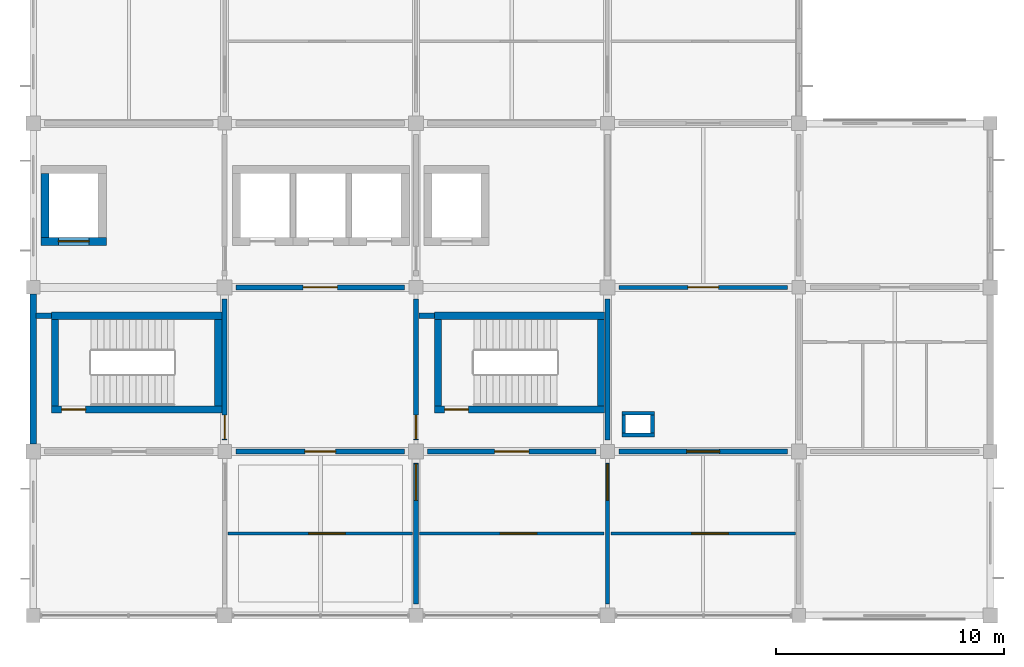
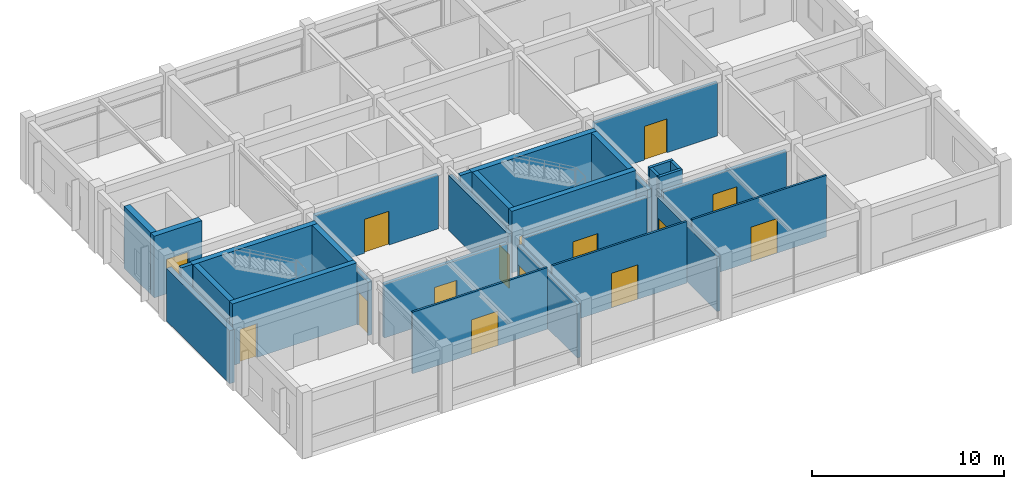
# One storey, part 8 of 13: 30 walls, 15 doors, 15 openings.
"""IFC4 building model written with IfcOpenShell, lengths in metres."""

from ifc_helpers import new_model, si_unit, derived_unit, direction, frame, frame_2d, origin, place, context, subcontext, project, spatial, rectangle, extrude, material, layer, layer_set, type_object, element, fill, save


model = new_model("IFC4")

# Units and contexts
model_context = context("Model", 3, precision=1e-05, world=origin(), true_north=direction((0.0, 1.0)))
body_context = subcontext(model_context, "Body", "Model", "MODEL_VIEW")
ifc_project = project(units=[si_unit("LENGTHUNIT", "METRE"), si_unit("AREAUNIT", "SQUARE_METRE"), si_unit("VOLUMEUNIT", "CUBIC_METRE"), si_unit("PLANEANGLEUNIT", "RADIAN"), si_unit("MASSUNIT", "GRAM", prefix="KILO"), derived_unit("THERMALTRANSMITTANCEUNIT", [(si_unit("MASSUNIT", "GRAM", prefix="KILO"), 1), (si_unit("TIMEUNIT", "SECOND"), -3), (si_unit("THERMODYNAMICTEMPERATUREUNIT", "KELVIN"), -1)])], contexts=[model_context])

# Site, building, storey
site_placement = place(None, origin())
site = spatial("IfcSite", under=ifc_project, at=site_placement, CompositionType="ELEMENT")
building_placement = place(site_placement, origin())
building = spatial("IfcBuilding", under=site, at=building_placement, Name="Veldstrom Oceanarium and Marine Research Institute", CompositionType="ELEMENT")
storey_placement = place(building_placement, frame((0.0, 0.0, 56.39990234375)))
storey = spatial("IfcBuildingStorey", under=building, at=storey_placement, Name="L12", CompositionType="ELEMENT", Elevation=56.39990234375)

# Wall
ifc_material_1 = material(Name="Masonry Cavity Wall", Category="masonry")
ifc_layer_1 = layer(ifc_material_1, 0.2900390625)
ifc_layer_set_1 = layer_set([ifc_layer_1], Name="ARC-WAL-EW2")
wall_type_1 = type_object("IfcWallType", Name="ARC-WAL-EW2", PredefinedType="SOLIDWALL", material=ifc_layer_set_1)
wall_1_placement = place(storey_placement, frame((75.60009765625, 50.72509765625, 0.0), z_axis=(0.0, 0.0, 1.0), x_axis=(0.0, 1.0, 0.0)))
element("IfcWall", 1, at=wall_1_placement, inside=storey, type_object=wall_type_1, Name="Exterior Facade Wall EW2 L12-242", PredefinedType="SOLIDWALL", context=body_context, shape_type="SweptSolid", body=[
    extrude(rectangle(XDim=6.574951171875, YDim=0.2900390625, at=frame_2d((3.28759765625, 0.0))), origin(), (0.0, 0.0, 1.0), 3.364990234375),
])

# Wall, opening, door
ifc_material_2 = material(Name="Masonry Fire Compartment Wall", Category="masonry")
ifc_layer_2 = layer(ifc_material_2, 0.22998046875)
ifc_layer_set_2 = layer_set([ifc_layer_2], Name="ARC-WAL-PT1")
wall_type_2 = type_object("IfcWallType", Name="ARC-WAL-PT1", PredefinedType="PARTITIONING", material=ifc_layer_set_2)
wall_2_placement = place(storey_placement, frame((84.0, 50.89990234375, 0.0), z_axis=(0.0, 0.0, 1.0), x_axis=(0.0, 1.0, 0.0)))
wall_2 = element("IfcWall", 2, at=wall_2_placement, inside=storey, type_object=wall_type_2, Name="Interior Partition PT1 L12-1711", PredefinedType="PARTITIONING", context=body_context, shape_type="SweptSolid", body=[
    extrude(rectangle(XDim=6.2001953125, YDim=0.22998046875, at=frame_2d((3.10009765625, 0.0))), origin(), (0.0, 0.0, 1.0), 3.4150390625),
])
opening_1_placement = place(wall_2_placement, frame((0.050048828125, 0.0, 0.0)))
opening_1 = element("IfcOpeningElement", 3, at=opening_1_placement, cuts=wall_2, Name="Opening D-L12-1054", PredefinedType="OPENING", context=body_context, shape_type="SweptSolid", body=[
    extrude(rectangle(XDim=1.050048828125, YDim=2.14990234375, at=frame_2d((0.52490234375, 1.074951171875))), frame((0.0, 0.125, 0.0), z_axis=(0.0, -1.0, 0.0), x_axis=(1.0, 0.0, 0.0)), (0.0, 0.0, 1.0), 0.25),
])
ifc_material_3 = material(Name="Painted Steel Fire Door", Category="steel")
door_type_1 = type_object("IfcDoorType", Name="ARC-DOR-SD1", OperationType="SINGLE_SWING_LEFT", PredefinedType="DOOR", material=ifc_material_3)
door_1_placement = place(opening_1_placement, frame((1.050048828125, 0.0, 0.0), z_axis=(0.0, 0.0, 1.0), x_axis=(-1.0, 0.0, 0.0)))
door_1 = element("IfcDoor", 4, at=door_1_placement, inside=storey, type_object=door_type_1, Name="Interior Door D-L12-1054", OperationType="SINGLE_SWING_RIGHT", OverallHeight=2.14990234375, OverallWidth=1.050048828125, PredefinedType="DOOR", context=body_context, shape_type="SweptSolid", body=[
    extrude(rectangle(XDim=1.050048828125, YDim=2.14990234375, at=frame_2d((0.52490234375, 1.074951171875))), frame((0.0, 0.02490234375, 0.0), z_axis=(0.0, -1.0, 0.0), x_axis=(1.0, 0.0, 0.0)), (0.0, 0.0, 1.0), 0.050048828125),
])
fill(opening_1, door_1)

# Wall
wall_3_placement = place(storey_placement, frame((75.719970703125, 56.360107421875, 0.0), z_axis=(0.0, 0.0, 1.0), x_axis=(1.0, 0.0, 0.0)))
element("IfcWall", 5, at=wall_3_placement, inside=storey, type_object=wall_type_2, Name="Interior Partition PT1 L12-1712", PredefinedType="PARTITIONING", context=body_context, shape_type="SweptSolid", body=[
    extrude(rectangle(XDim=0.679931640625, YDim=0.22998046875, at=frame_2d((0.33984375, 0.0))), origin(), (0.0, 0.0, 1.0), 3.920166015625),
])

# Wall, opening, door
wall_4_placement = place(storey_placement, frame((92.39990234375, 50.89990234375, 0.0), z_axis=(0.0, 0.0, 1.0), x_axis=(0.0, 1.0, 0.0)))
wall_4 = element("IfcWall", 6, at=wall_4_placement, inside=storey, type_object=wall_type_2, Name="Interior Partition PT1 L12-1718", PredefinedType="PARTITIONING", context=body_context, shape_type="SweptSolid", body=[
    extrude(rectangle(XDim=6.2001953125, YDim=0.22998046875, at=frame_2d((3.10009765625, 0.0))), origin(), (0.0, 0.0, 1.0), 3.51513671875),
])
opening_2_placement = place(wall_4_placement, frame((0.050048828125, 0.0, 0.0)))
opening_2 = element("IfcOpeningElement", 7, at=opening_2_placement, cuts=wall_4, Name="Opening D-L12-1059", PredefinedType="OPENING", context=body_context, shape_type="SweptSolid", body=[
    extrude(rectangle(XDim=1.050048828125, YDim=2.14990234375, at=frame_2d((0.52490234375, 1.074951171875))), frame((0.0, 0.125, 0.0), z_axis=(0.0, -1.0, 0.0), x_axis=(1.0, 0.0, 0.0)), (0.0, 0.0, 1.0), 0.25),
])
door_2_placement = place(opening_2_placement, origin())
door_2 = element("IfcDoor", 8, at=door_2_placement, inside=storey, type_object=door_type_1, Name="Interior Door D-L12-1059", OperationType="SINGLE_SWING_LEFT", OverallHeight=2.14990234375, OverallWidth=1.050048828125, PredefinedType="DOOR", context=body_context, shape_type="SweptSolid", body=[
    extrude(rectangle(XDim=1.050048828125, YDim=2.14990234375, at=frame_2d((0.52490234375, 1.074951171875))), frame((0.0, 0.02490234375, 0.0), z_axis=(0.0, -1.0, 0.0), x_axis=(1.0, 0.0, 0.0)), (0.0, 0.0, 1.0), 0.050048828125),
])
fill(opening_2, door_2)

wall_5_placement = place(storey_placement, frame((84.5, 57.60009765625, 0.0), z_axis=(0.0, 0.0, 1.0), x_axis=(1.0, 0.0, 0.0)))
wall_5 = element("IfcWall", 9, at=wall_5_placement, inside=storey, type_object=wall_type_2, Name="Interior Partition PT1 L12-1719", PredefinedType="PARTITIONING", context=body_context, shape_type="SweptSolid", body=[
    extrude(rectangle(XDim=7.39990234375, YDim=0.22998046875, at=frame_2d((3.699951171875, 0.0))), origin(), (0.0, 0.0, 1.0), 3.4150390625),
])
opening_3_placement = place(wall_5_placement, frame((2.949951171875, 0.0, 0.0)))
opening_3 = element("IfcOpeningElement", 10, at=opening_3_placement, cuts=wall_5, Name="Opening D-L12-1060", PredefinedType="OPENING", context=body_context, shape_type="SweptSolid", body=[
    extrude(rectangle(XDim=1.5, YDim=2.14990234375, at=frame_2d((0.75, 1.074951171875))), frame((0.0, 0.125, 0.0), z_axis=(0.0, -1.0, 0.0), x_axis=(1.0, 0.0, 0.0)), (0.0, 0.0, 1.0), 0.25),
])
ifc_material_4 = material(Name="Painted Steel Lobby Fire Door", Category="steel")
door_type_2 = type_object("IfcDoorType", Name="ARC-DOR-SD2", OperationType="DOUBLE_DOOR_SINGLE_SWING", PredefinedType="DOOR", material=ifc_material_4)
door_3_placement = place(opening_3_placement, origin())
door_3 = element("IfcDoor", 11, at=door_3_placement, inside=storey, type_object=door_type_2, Name="Interior Door D-L12-1060", OperationType="DOUBLE_DOOR_SINGLE_SWING", OverallHeight=2.14990234375, OverallWidth=1.5, PredefinedType="DOOR", context=body_context, shape_type="SweptSolid", body=[
    extrude(rectangle(XDim=1.5, YDim=2.14990234375, at=frame_2d((0.75, 1.074951171875))), frame((0.0, 0.02490234375, 0.0), z_axis=(0.0, -1.0, 0.0), x_axis=(1.0, 0.0, 0.0)), (0.0, 0.0, 1.0), 0.050048828125),
])
fill(opening_3, door_3)

wall_6_placement = place(storey_placement, frame((92.89990234375, 50.39990234375, 0.0), z_axis=(0.0, 0.0, 1.0), x_axis=(1.0, 0.0, 0.0)))
wall_6 = element("IfcWall", 12, at=wall_6_placement, inside=storey, type_object=wall_type_2, Name="Interior Partition PT1 L12-1724", PredefinedType="PARTITIONING", context=body_context, shape_type="SweptSolid", body=[
    extrude(rectangle(XDim=7.400146484375, YDim=0.22998046875, at=frame_2d((3.7001953125, 0.0))), origin(), (0.0, 0.0, 1.0), 3.4150390625),
])
opening_4_placement = place(wall_6_placement, frame((2.949951171875, 0.0, 0.0)))
opening_4 = element("IfcOpeningElement", 13, at=opening_4_placement, cuts=wall_6, Name="Opening D-L12-1064", PredefinedType="OPENING", context=body_context, shape_type="SweptSolid", body=[
    extrude(rectangle(XDim=1.5, YDim=2.14990234375, at=frame_2d((0.75, 1.074951171875))), frame((0.0, 0.125, 0.0), z_axis=(0.0, -1.0, 0.0), x_axis=(1.0, 0.0, 0.0)), (0.0, 0.0, 1.0), 0.25),
])
door_4_placement = place(opening_4_placement, frame((1.5, 0.0, 0.0), z_axis=(0.0, 0.0, 1.0), x_axis=(-1.0, 0.0, 0.0)))
door_4 = element("IfcDoor", 14, at=door_4_placement, inside=storey, type_object=door_type_2, Name="Interior Door D-L12-1064", OperationType="DOUBLE_DOOR_SINGLE_SWING", OverallHeight=2.14990234375, OverallWidth=1.5, PredefinedType="DOOR", context=body_context, shape_type="SweptSolid", body=[
    extrude(rectangle(XDim=1.5, YDim=2.14990234375, at=frame_2d((0.75, 1.074951171875))), frame((0.0, 0.02490234375, 0.0), z_axis=(0.0, -1.0, 0.0), x_axis=(1.0, 0.0, 0.0)), (0.0, 0.0, 1.0), 0.050048828125),
])
fill(opening_4, door_4)

# Walls
wall_7_placement = place(storey_placement, frame((100.800048828125, 50.89990234375, 0.0), z_axis=(0.0, 0.0, 1.0), x_axis=(0.0, 1.0, 0.0)))
element("IfcWall", 15, at=wall_7_placement, inside=storey, type_object=wall_type_2, Name="Interior Partition PT1 L12-1725", PredefinedType="PARTITIONING", context=body_context, shape_type="SweptSolid", body=[
    extrude(rectangle(XDim=6.2001953125, YDim=0.22998046875, at=frame_2d((3.10009765625, 0.0))), origin(), (0.0, 0.0, 1.0), 3.4150390625),
])
wall_8_placement = place(storey_placement, frame((92.52001953125, 56.360107421875, 0.0), z_axis=(0.0, 0.0, 1.0), x_axis=(1.0, 0.0, 0.0)))
element("IfcWall", 16, at=wall_8_placement, inside=storey, type_object=wall_type_2, Name="Interior Partition PT1 L12-1726", PredefinedType="PARTITIONING", context=body_context, shape_type="SweptSolid", body=[
    extrude(rectangle(XDim=0.679931640625, YDim=0.22998046875, at=frame_2d((0.33984375, 0.0))), origin(), (0.0, 0.0, 1.0), 3.920166015625),
])

# Wall, opening, door
ifc_material_5 = material(Name="Gypsum Acoustic Lab Partition", Category="gypsum")
ifc_layer_3 = layer(ifc_material_5, 0.1201171875)
ifc_layer_set_3 = layer_set([ifc_layer_3], Name="ARC-WAL-PT10")
wall_type_3 = type_object("IfcWallType", Name="ARC-WAL-PT10", PredefinedType="PARTITIONING", material=ifc_layer_set_3)
wall_9_placement = place(storey_placement, frame((84.14990234375, 46.800048828125, 0.0), z_axis=(0.0, 0.0, 1.0), x_axis=(1.0, 0.0, 0.0)))
wall_9 = element("IfcWall", 17, at=wall_9_placement, inside=storey, type_object=wall_type_3, Name="Laboratory Suite Partition L12-10/6", PredefinedType="PARTITIONING", context=body_context, shape_type="SweptSolid", body=[
    extrude(rectangle(XDim=8.10009765625, YDim=0.1201171875, at=frame_2d((4.050048828125, 0.0))), origin(), (0.0, 0.0, 1.0), 3.920166015625),
])
opening_5_placement = place(wall_9_placement, frame((3.550048828125, 0.0, 0.0)))
opening_5 = element("IfcOpeningElement", 18, at=opening_5_placement, cuts=wall_9, Name="Opening D-L12-S1046", PredefinedType="OPENING", context=body_context, shape_type="SweptSolid", body=[
    extrude(rectangle(XDim=1.60009765625, YDim=2.199951171875, at=frame_2d((0.800048828125, 1.10009765625))), frame((0.0, 0.070068359375, 0.0), z_axis=(0.0, -1.0, 0.0), x_axis=(1.0, 0.0, 0.0)), (0.0, 0.0, 1.0), 0.14013671875),
])
ifc_material_6 = material(Name="Acoustic Timber Corridor Door", Category="wood")
door_type_3 = type_object("IfcDoorType", Name="ARC-DOR-ID02", OperationType="DOUBLE_DOOR_SINGLE_SWING", PredefinedType="DOOR", material=ifc_material_6)
door_5_placement = place(opening_5_placement, frame((1.60009765625, 0.0, 0.0), z_axis=(0.0, 0.0, 1.0), x_axis=(-1.0, 0.0, 0.0)))
door_5 = element("IfcDoor", 19, at=door_5_placement, inside=storey, type_object=door_type_3, Name="Suite Interior Door D-L12-S1046", OperationType="SINGLE_SWING_RIGHT", OverallHeight=2.199951171875, OverallWidth=1.60009765625, PredefinedType="DOOR", context=body_context, shape_type="SweptSolid", body=[
    extrude(rectangle(XDim=1.60009765625, YDim=2.199951171875, at=frame_2d((0.800048828125, 1.10009765625))), frame((0.0, 0.02490234375, 0.0), z_axis=(0.0, -1.0, 0.0), x_axis=(1.0, 0.0, 0.0)), (0.0, 0.0, 1.0), 0.050048828125),
])
fill(opening_5, door_5)

wall_10_placement = place(storey_placement, frame((92.550048828125, 46.800048828125, 0.0), z_axis=(0.0, 0.0, 1.0), x_axis=(1.0, 0.0, 0.0)))
wall_10 = element("IfcWall", 20, at=wall_10_placement, inside=storey, type_object=wall_type_3, Name="Laboratory Suite Partition L12-11/6", PredefinedType="PARTITIONING", context=body_context, shape_type="SweptSolid", body=[
    extrude(rectangle(XDim=8.099853515625, YDim=0.1201171875, at=frame_2d((4.0498046875, 0.0))), origin(), (0.0, 0.0, 1.0), 3.920166015625),
])
opening_6_placement = place(wall_10_placement, frame((3.550048828125, 0.0, 0.0)))
opening_6 = element("IfcOpeningElement", 21, at=opening_6_placement, cuts=wall_10, Name="Opening D-L12-S1047", PredefinedType="OPENING", context=body_context, shape_type="SweptSolid", body=[
    extrude(rectangle(XDim=1.60009765625, YDim=2.199951171875, at=frame_2d((0.800048828125, 1.10009765625))), frame((0.0, 0.070068359375, 0.0), z_axis=(0.0, -1.0, 0.0), x_axis=(1.0, 0.0, 0.0)), (0.0, 0.0, 1.0), 0.14013671875),
])
door_6_placement = place(opening_6_placement, frame((1.60009765625, 0.0, 0.0), z_axis=(0.0, 0.0, 1.0), x_axis=(-1.0, 0.0, 0.0)))
door_6 = element("IfcDoor", 22, at=door_6_placement, inside=storey, type_object=door_type_3, Name="Suite Interior Door D-L12-S1047", OperationType="SINGLE_SWING_LEFT", OverallHeight=2.199951171875, OverallWidth=1.60009765625, PredefinedType="DOOR", context=body_context, shape_type="SweptSolid", body=[
    extrude(rectangle(XDim=1.60009765625, YDim=2.199951171875, at=frame_2d((0.800048828125, 1.10009765625))), frame((0.0, 0.02490234375, 0.0), z_axis=(0.0, -1.0, 0.0), x_axis=(1.0, 0.0, 0.0)), (0.0, 0.0, 1.0), 0.050048828125),
])
fill(opening_6, door_6)

wall_11_placement = place(storey_placement, frame((100.949951171875, 46.800048828125, 0.0), z_axis=(0.0, 0.0, 1.0), x_axis=(1.0, 0.0, 0.0)))
wall_11 = element("IfcWall", 23, at=wall_11_placement, inside=storey, type_object=wall_type_3, Name="Laboratory Suite Partition L12-12/6", PredefinedType="PARTITIONING", context=body_context, shape_type="SweptSolid", body=[
    extrude(rectangle(XDim=8.10009765625, YDim=0.1201171875, at=frame_2d((4.050048828125, 0.0))), origin(), (0.0, 0.0, 1.0), 3.920166015625),
])
opening_7_placement = place(wall_11_placement, frame((3.550048828125, 0.0, 0.0)))
opening_7 = element("IfcOpeningElement", 24, at=opening_7_placement, cuts=wall_11, Name="Opening D-L12-S1048", PredefinedType="OPENING", context=body_context, shape_type="SweptSolid", body=[
    extrude(rectangle(XDim=1.60009765625, YDim=2.199951171875, at=frame_2d((0.800048828125, 1.10009765625))), frame((0.0, 0.070068359375, 0.0), z_axis=(0.0, -1.0, 0.0), x_axis=(1.0, 0.0, 0.0)), (0.0, 0.0, 1.0), 0.14013671875),
])
door_7_placement = place(opening_7_placement, frame((1.60009765625, 0.0, 0.0), z_axis=(0.0, 0.0, 1.0), x_axis=(-1.0, 0.0, 0.0)))
door_7 = element("IfcDoor", 25, at=door_7_placement, inside=storey, type_object=door_type_3, Name="Suite Interior Door D-L12-S1048", OperationType="SINGLE_SWING_RIGHT", OverallHeight=2.199951171875, OverallWidth=1.60009765625, PredefinedType="DOOR", context=body_context, shape_type="SweptSolid", body=[
    extrude(rectangle(XDim=1.60009765625, YDim=2.199951171875, at=frame_2d((0.800048828125, 1.10009765625))), frame((0.0, 0.02490234375, 0.0), z_axis=(0.0, -1.0, 0.0), x_axis=(1.0, 0.0, 0.0)), (0.0, 0.0, 1.0), 0.050048828125),
])
fill(opening_7, door_7)

ifc_material_7 = material(Name="Masonry Acoustic Lab Partition", Category="masonry")
ifc_layer_4 = layer(ifc_material_7, 0.205078125)
ifc_layer_set_4 = layer_set([ifc_layer_4], Name="ARC-WAL-PT2")
wall_type_4 = type_object("IfcWallType", Name="ARC-WAL-PT2", PredefinedType="PARTITIONING", material=ifc_layer_set_4)
wall_12_placement = place(storey_placement, frame((92.39990234375, 43.699951171875, 0.0), z_axis=(0.0, 0.0, 1.0), x_axis=(0.0, 1.0, 0.0)))
wall_12 = element("IfcWall", 26, at=wall_12_placement, inside=storey, type_object=wall_type_4, Name="Interior Partition PT2 L12-1716", PredefinedType="PARTITIONING", context=body_context, shape_type="SweptSolid", body=[
    extrude(rectangle(XDim=6.199951171875, YDim=0.205078125, at=frame_2d((3.10009765625, 0.0))), origin(), (0.0, 0.0, 1.0), 3.4150390625),
])
opening_8_placement = place(wall_12_placement, frame((4.550048828125, 0.0, 0.0)))
opening_8 = element("IfcOpeningElement", 27, at=opening_8_placement, cuts=wall_12, Name="Opening D-L12-1057", PredefinedType="OPENING", context=body_context, shape_type="SweptSolid", body=[
    extrude(rectangle(XDim=1.60009765625, YDim=2.199951171875, at=frame_2d((0.800048828125, 1.10009765625))), frame((0.0, 0.112548828125, 0.0), z_axis=(0.0, -1.0, 0.0), x_axis=(1.0, 0.0, 0.0)), (0.0, 0.0, 1.0), 0.22509765625),
])
door_8_placement = place(opening_8_placement, frame((1.60009765625, 0.0, 0.0), z_axis=(0.0, 0.0, 1.0), x_axis=(-1.0, 0.0, 0.0)))
door_8 = element("IfcDoor", 28, at=door_8_placement, inside=storey, type_object=door_type_3, Name="Interior Door D-L12-1057", OperationType="DOUBLE_DOOR_SINGLE_SWING", OverallHeight=2.199951171875, OverallWidth=1.60009765625, PredefinedType="DOOR", context=body_context, shape_type="SweptSolid", body=[
    extrude(rectangle(XDim=1.60009765625, YDim=2.199951171875, at=frame_2d((0.800048828125, 1.10009765625))), frame((0.0, 0.02490234375, 0.0), z_axis=(0.0, -1.0, 0.0), x_axis=(1.0, 0.0, 0.0)), (0.0, 0.0, 1.0), 0.050048828125),
])
fill(opening_8, door_8)

wall_13_placement = place(storey_placement, frame((84.5, 50.39990234375, 0.0), z_axis=(0.0, 0.0, 1.0), x_axis=(1.0, 0.0, 0.0)))
wall_13 = element("IfcWall", 29, at=wall_13_placement, inside=storey, type_object=wall_type_4, Name="Interior Partition PT2 L12-1717", PredefinedType="PARTITIONING", context=body_context, shape_type="SweptSolid", body=[
    extrude(rectangle(XDim=7.39990234375, YDim=0.205078125, at=frame_2d((3.699951171875, 0.0))), origin(), (0.0, 0.0, 1.0), 3.4150390625),
])
opening_9_placement = place(wall_13_placement, frame((3.02490234375, 0.0, 0.0)))
opening_9 = element("IfcOpeningElement", 30, at=opening_9_placement, cuts=wall_13, Name="Opening D-L12-1058", PredefinedType="OPENING", context=body_context, shape_type="SweptSolid", body=[
    extrude(rectangle(XDim=1.35009765625, YDim=2.14990234375, at=frame_2d((0.675048828125, 1.074951171875))), frame((0.0, 0.112548828125, 0.0), z_axis=(0.0, -1.0, 0.0), x_axis=(1.0, 0.0, 0.0)), (0.0, 0.0, 1.0), 0.22509765625),
])
ifc_material_8 = material(Name="Cleanroom Airlock Door", Category="steel")
door_type_4 = type_object("IfcDoorType", Name="ARC-DOR-ID15", OperationType="SINGLE_SWING_LEFT", PredefinedType="DOOR", material=ifc_material_8)
door_9_placement = place(opening_9_placement, frame((1.35009765625, 0.0, 0.0), z_axis=(0.0, 0.0, 1.0), x_axis=(-1.0, 0.0, 0.0)))
door_9 = element("IfcDoor", 31, at=door_9_placement, inside=storey, type_object=door_type_4, Name="Interior Door D-L12-1058", OperationType="SINGLE_SWING_RIGHT", OverallHeight=2.14990234375, OverallWidth=1.35009765625, PredefinedType="DOOR", context=body_context, shape_type="SweptSolid", body=[
    extrude(rectangle(XDim=1.35009765625, YDim=2.14990234375, at=frame_2d((0.675048828125, 1.074951171875))), frame((0.0, 0.02490234375, 0.0), z_axis=(0.0, -1.0, 0.0), x_axis=(1.0, 0.0, 0.0)), (0.0, 0.0, 1.0), 0.050048828125),
])
fill(opening_9, door_9)

wall_14_placement = place(storey_placement, frame((101.300048828125, 50.39990234375, 0.0), z_axis=(0.0, 0.0, 1.0), x_axis=(1.0, 0.0, 0.0)))
wall_14 = element("IfcWall", 32, at=wall_14_placement, inside=storey, type_object=wall_type_4, Name="Interior Partition PT2 L12-1731", PredefinedType="PARTITIONING", context=body_context, shape_type="SweptSolid", body=[
    extrude(rectangle(XDim=7.39990234375, YDim=0.205078125, at=frame_2d((3.699951171875, 0.0))), origin(), (0.0, 0.0, 1.0), 3.4150390625),
])
opening_10_placement = place(wall_14_placement, frame((2.97509765625, 0.0, 0.0)))
opening_10 = element("IfcOpeningElement", 33, at=opening_10_placement, cuts=wall_14, Name="Opening D-L12-1067", PredefinedType="OPENING", context=body_context, shape_type="SweptSolid", body=[
    extrude(rectangle(XDim=1.449951171875, YDim=2.199951171875, at=frame_2d((0.72509765625, 1.10009765625))), frame((0.0, 0.112548828125, 0.0), z_axis=(0.0, -1.0, 0.0), x_axis=(1.0, 0.0, 0.0)), (0.0, 0.0, 1.0), 0.22509765625),
])
ifc_material_9 = material(Name="Curatorial Archive Door", Category="timber")
door_type_5 = type_object("IfcDoorType", Name="ARC-DOR-ID14", OperationType="DOUBLE_DOOR_SINGLE_SWING", PredefinedType="DOOR", material=ifc_material_9)
door_10_placement = place(opening_10_placement, origin())
door_10 = element("IfcDoor", 34, at=door_10_placement, inside=storey, type_object=door_type_5, Name="Interior Door D-L12-1067", OperationType="DOUBLE_DOOR_SINGLE_SWING", OverallHeight=2.199951171875, OverallWidth=1.449951171875, PredefinedType="DOOR", context=body_context, shape_type="SweptSolid", body=[
    extrude(rectangle(XDim=1.449951171875, YDim=2.199951171875, at=frame_2d((0.72509765625, 1.10009765625))), frame((0.0, 0.02490234375, 0.0), z_axis=(0.0, -1.0, 0.0), x_axis=(1.0, 0.0, 0.0)), (0.0, 0.0, 1.0), 0.050048828125),
])
fill(opening_10, door_10)

ifc_material_10 = material(Name="Drywall Acoustic Partition", Category="gypsum")
ifc_layer_5 = layer(ifc_material_10, 0.175048828125)
ifc_layer_set_5 = layer_set([ifc_layer_5], Name="ARC-WAL-PT3")
wall_type_5 = type_object("IfcWallType", Name="ARC-WAL-PT3", PredefinedType="PARTITIONING", material=ifc_layer_set_5)
wall_15_placement = place(storey_placement, frame((100.800048828125, 43.699951171875, 0.0), z_axis=(0.0, 0.0, 1.0), x_axis=(0.0, 1.0, 0.0)))
wall_15 = element("IfcWall", 35, at=wall_15_placement, inside=storey, type_object=wall_type_5, Name="Interior Partition PT3 L12-1723", PredefinedType="PARTITIONING", context=body_context, shape_type="SweptSolid", body=[
    extrude(rectangle(XDim=6.199951171875, YDim=0.175048828125, at=frame_2d((3.10009765625, 0.0))), origin(), (0.0, 0.0, 1.0), 3.51513671875),
])
opening_11_placement = place(wall_15_placement, frame((4.550048828125, 0.0, 0.0)))
opening_11 = element("IfcOpeningElement", 36, at=opening_11_placement, cuts=wall_15, Name="Opening D-L12-1063", PredefinedType="OPENING", context=body_context, shape_type="SweptSolid", body=[
    extrude(rectangle(XDim=1.60009765625, YDim=2.199951171875, at=frame_2d((0.800048828125, 1.10009765625))), frame((0.0, 0.097412109375, 0.0), z_axis=(0.0, -1.0, 0.0), x_axis=(1.0, 0.0, 0.0)), (0.0, 0.0, 1.0), 0.195068359375),
])
door_11_placement = place(opening_11_placement, origin())
door_11 = element("IfcDoor", 37, at=door_11_placement, inside=storey, type_object=door_type_3, Name="Interior Door D-L12-1063", OperationType="DOUBLE_DOOR_SINGLE_SWING", OverallHeight=2.199951171875, OverallWidth=1.60009765625, PredefinedType="DOOR", context=body_context, shape_type="SweptSolid", body=[
    extrude(rectangle(XDim=1.60009765625, YDim=2.199951171875, at=frame_2d((0.800048828125, 1.10009765625))), frame((0.0, 0.02490234375, 0.0), z_axis=(0.0, -1.0, 0.0), x_axis=(1.0, 0.0, 0.0)), (0.0, 0.0, 1.0), 0.050048828125),
])
fill(opening_11, door_11)

wall_16_placement = place(storey_placement, frame((101.300048828125, 57.60009765625, 0.0), z_axis=(0.0, 0.0, 1.0), x_axis=(1.0, 0.0, 0.0)))
wall_16 = element("IfcWall", 38, at=wall_16_placement, inside=storey, type_object=wall_type_5, Name="Interior Partition PT3 L12-1733", PredefinedType="PARTITIONING", context=body_context, shape_type="SweptSolid", body=[
    extrude(rectangle(XDim=7.39990234375, YDim=0.175048828125, at=frame_2d((3.699951171875, 0.0))), origin(), (0.0, 0.0, 1.0), 3.4150390625),
])
opening_12_placement = place(wall_16_placement, frame((3.02490234375, 0.0, 0.0)))
opening_12 = element("IfcOpeningElement", 39, at=opening_12_placement, cuts=wall_16, Name="Opening D-L12-1068", PredefinedType="OPENING", context=body_context, shape_type="SweptSolid", body=[
    extrude(rectangle(XDim=1.35009765625, YDim=2.14990234375, at=frame_2d((0.675048828125, 1.074951171875))), frame((0.0, 0.097412109375, 0.0), z_axis=(0.0, -1.0, 0.0), x_axis=(1.0, 0.0, 0.0)), (0.0, 0.0, 1.0), 0.195068359375),
])
door_12_placement = place(opening_12_placement, frame((1.35009765625, 0.0, 0.0), z_axis=(0.0, 0.0, 1.0), x_axis=(-1.0, 0.0, 0.0)))
door_12 = element("IfcDoor", 40, at=door_12_placement, inside=storey, type_object=door_type_4, Name="Interior Door D-L12-1068", OperationType="SINGLE_SWING_LEFT", OverallHeight=2.14990234375, OverallWidth=1.35009765625, PredefinedType="DOOR", context=body_context, shape_type="SweptSolid", body=[
    extrude(rectangle(XDim=1.35009765625, YDim=2.14990234375, at=frame_2d((0.675048828125, 1.074951171875))), frame((0.0, 0.02490234375, 0.0), z_axis=(0.0, -1.0, 0.0), x_axis=(1.0, 0.0, 0.0)), (0.0, 0.0, 1.0), 0.050048828125),
])
fill(opening_12, door_12)

# Walls
ifc_material_11 = material(Name="Service Riser Fire Shaft Wall", Category="masonry")
ifc_layer_6 = layer(ifc_material_11, 0.1650390625)
ifc_layer_set_6 = layer_set([ifc_layer_6], Name="ARC-WAL-PT9")
wall_type_6 = type_object("IfcWallType", Name="ARC-WAL-PT9", PredefinedType="PARTITIONING", material=ifc_layer_set_6)
for number, where, z_axis, x_axis, name in (
    (41, (101.43505859375, 51.117431640625, 0.0), (0.0, 0.0, 1.0), (1.0, 0.0, 0.0), "Service Riser Fire Shaft Wall L12-CE-S"),
    (42, (101.43505859375, 52.08251953125, 0.0), (0.0, 0.0, 1.0), (1.0, 0.0, 0.0), "Service Riser Fire Shaft Wall L12-CE-N"),
):
    element("IfcWall", number, at=place(storey_placement, frame(where, z_axis=z_axis, x_axis=x_axis)), inside=storey, type_object=wall_type_6, Name=name, PredefinedType="PARTITIONING", context=body_context, shape_type="SweptSolid", body=[
        extrude(rectangle(XDim=1.429931640625, YDim=0.1650390625, at=frame_2d((0.71484375, 0.0))), origin(), (0.0, 0.0, 1.0), 3.85009765625),
    ])
for number, where, z_axis, x_axis, name in (
    (43, (101.517578125, 51.199951171875, 0.0), (0.0, 0.0, 1.0), (0.0, 1.0, 0.0), "Service Riser Fire Shaft Wall L12-CE-W"),
    (44, (102.782470703125, 51.199951171875, 0.0), (0.0, 0.0, 1.0), (0.0, 1.0, 0.0), "Service Riser Fire Shaft Wall L12-CE-E"),
):
    element("IfcWall", number, at=place(storey_placement, frame(where, z_axis=z_axis, x_axis=x_axis)), inside=storey, type_object=wall_type_6, Name=name, PredefinedType="PARTITIONING", context=body_context, shape_type="SweptSolid", body=[
        extrude(rectangle(XDim=0.800048828125, YDim=0.1650390625, at=frame_2d((0.39990234375, 0.0))), origin(), (0.0, 0.0, 1.0), 3.85009765625),
    ])

# Wall, opening, door
ifc_material_12 = material(Name="Concrete C40/50", Category="concrete")
ifc_layer_7 = layer(ifc_material_12, 0.360107421875)
ifc_layer_set_7 = layer_set([ifc_layer_7], Name="STR-WAL-WC2")
wall_type_7 = type_object("IfcWallType", Name="STR-WAL-WC2", PredefinedType="SHEAR", material=ifc_layer_set_7)
wall_17_placement = place(storey_placement, frame((75.93994140625, 59.6201171875, 0.0), z_axis=(0.0, 0.0, 1.0), x_axis=(1.0, 0.0, 0.0)))
wall_17 = element("IfcWall", 45, at=wall_17_placement, inside=storey, type_object=wall_type_7, Name="Lift Shaft Front Shear Wall LF1 L12", PredefinedType="SHEAR", context=body_context, shape_type="SweptSolid", body=[
    extrude(rectangle(XDim=2.8701171875, YDim=0.360107421875, at=frame_2d((1.43505859375, 0.0))), origin(), (0.0, 0.0, 1.0), 3.920166015625),
])
opening_13_placement = place(wall_17_placement, frame((0.760009765625, 0.0, 0.0)))
opening_13 = element("IfcOpeningElement", 46, at=opening_13_placement, cuts=wall_17, Name="Opening LD-LF1-L12", PredefinedType="OPENING", context=body_context, shape_type="SweptSolid", body=[
    extrude(rectangle(XDim=1.35009765625, YDim=2.199951171875, at=frame_2d((0.675048828125, 1.10009765625))), frame((0.0, 0.18994140625, 0.0), z_axis=(0.0, -1.0, 0.0), x_axis=(1.0, 0.0, 0.0)), (0.0, 0.0, 1.0), 0.380126953125),
])
ifc_material_13 = material(Name="Stainless Steel Lift Landing Door", Category="steel")
door_type_6 = type_object("IfcDoorType", Name="ARC-DOR-LD3", OperationType="DOUBLE_DOOR_SLIDING", PredefinedType="DOOR", material=ifc_material_13)
door_13_placement = place(opening_13_placement, origin())
door_13 = element("IfcDoor", 47, at=door_13_placement, inside=storey, type_object=door_type_6, Name="Lift Landing Door LD-LF1-L12", OperationType="DOUBLE_DOOR_SLIDING", OverallHeight=2.199951171875, OverallWidth=1.35009765625, PredefinedType="DOOR", context=body_context, shape_type="SweptSolid", body=[
    extrude(rectangle(XDim=1.35009765625, YDim=2.199951171875, at=frame_2d((0.675048828125, 1.10009765625))), frame((0.0, 0.02490234375, 0.0), z_axis=(0.0, -1.0, 0.0), x_axis=(1.0, 0.0, 0.0)), (0.0, 0.0, 1.0), 0.050048828125),
])
fill(opening_13, door_13)

# Wall
wall_18_placement = place(storey_placement, frame((76.1201171875, 59.800048828125, 0.0), z_axis=(0.0, 0.0, 1.0), x_axis=(0.0, 1.0, 0.0)))
element("IfcWall", 48, at=wall_18_placement, inside=storey, type_object=wall_type_7, Name="Lift Shaft Shear Wall W L12 9/8", PredefinedType="SHEAR", context=body_context, shape_type="SweptSolid", body=[
    extrude(rectangle(XDim=2.800048828125, YDim=0.360107421875, at=frame_2d((1.39990234375, 0.0))), origin(), (0.0, 0.0, 1.0), 3.920166015625),
])

# Wall, opening, door
ifc_material_14 = material(Name="Concrete C40/50", Category="concrete")
ifc_layer_8 = layer(ifc_material_14, 0.320068359375)
ifc_layer_set_8 = layer_set([ifc_layer_8], Name="STR-WAL-WC3")
wall_type_8 = type_object("IfcWallType", Name="STR-WAL-WC3", PredefinedType="SHEAR", material=ifc_layer_set_8)
wall_19_placement = place(storey_placement, frame((76.39990234375, 52.239990234375, 0.0), z_axis=(0.0, 0.0, 1.0), x_axis=(1.0, 0.0, 0.0)))
wall_19 = element("IfcWall", 49, at=wall_19_placement, inside=storey, type_object=wall_type_8, Name="Stair Core Shear Wall SC1-L12-S", PredefinedType="SHEAR", context=body_context, shape_type="SweptSolid", body=[
    extrude(rectangle(XDim=7.47998046875, YDim=0.320068359375, at=frame_2d((3.739990234375, 0.0))), origin(), (0.0, 0.0, 1.0), 3.920166015625),
])
opening_14_placement = place(wall_19_placement, frame((0.449951171875, 0.0, 0.0)))
opening_14 = element("IfcOpeningElement", 50, at=opening_14_placement, cuts=wall_19, Name="Opening D-ST1-L12", PredefinedType="OPENING", context=body_context, shape_type="SweptSolid", body=[
    extrude(rectangle(XDim=1.050048828125, YDim=2.14990234375, at=frame_2d((0.52490234375, 1.074951171875))), frame((0.0, 0.169921875, 0.0), z_axis=(0.0, -1.0, 0.0), x_axis=(1.0, 0.0, 0.0)), (0.0, 0.0, 1.0), 0.340087890625),
])
door_14_placement = place(opening_14_placement, origin())
door_14 = element("IfcDoor", 51, at=door_14_placement, inside=storey, type_object=door_type_1, Name="Escape Stair Fire Door D-ST1-L12", OperationType="SINGLE_SWING_LEFT", OverallHeight=2.14990234375, OverallWidth=1.050048828125, PredefinedType="DOOR", context=body_context, shape_type="SweptSolid", body=[
    extrude(rectangle(XDim=1.050048828125, YDim=2.14990234375, at=frame_2d((0.52490234375, 1.074951171875))), frame((0.0, 0.02490234375, 0.0), z_axis=(0.0, -1.0, 0.0), x_axis=(1.0, 0.0, 0.0)), (0.0, 0.0, 1.0), 0.050048828125),
])
fill(opening_14, door_14)

# Walls
wall_20_placement = place(storey_placement, frame((76.39990234375, 56.360107421875, 0.0), z_axis=(0.0, 0.0, 1.0), x_axis=(1.0, 0.0, 0.0)))
element("IfcWall", 52, at=wall_20_placement, inside=storey, type_object=wall_type_8, Name="Stair Core Shear Wall SC1-L12-N", PredefinedType="SHEAR", context=body_context, shape_type="SweptSolid", body=[
    extrude(rectangle(XDim=7.47998046875, YDim=0.320068359375, at=frame_2d((3.739990234375, 0.0))), origin(), (0.0, 0.0, 1.0), 3.920166015625),
])
for number, where, z_axis, x_axis, name in (
    (53, (76.56005859375, 52.39990234375, 0.0), (0.0, 0.0, 1.0), (0.0, 1.0, 0.0), "Stair Core Shear Wall SC1-L12-W"),
    (54, (83.719970703125, 52.39990234375, 0.0), (0.0, 0.0, 1.0), (0.0, 1.0, 0.0), "Stair Core Shear Wall SC1-L12-E"),
):
    element("IfcWall", number, at=place(storey_placement, frame(where, z_axis=z_axis, x_axis=x_axis)), inside=storey, type_object=wall_type_8, Name=name, PredefinedType="SHEAR", context=body_context, shape_type="SweptSolid", body=[
        extrude(rectangle(XDim=3.800048828125, YDim=0.320068359375, at=frame_2d((1.89990234375, 0.0))), origin(), (0.0, 0.0, 1.0), 3.920166015625),
    ])

# Wall, opening, door
wall_21_placement = place(storey_placement, frame((93.199951171875, 52.239990234375, 0.0), z_axis=(0.0, 0.0, 1.0), x_axis=(1.0, 0.0, 0.0)))
wall_21 = element("IfcWall", 55, at=wall_21_placement, inside=storey, type_object=wall_type_8, Name="Stair Core Shear Wall SC2-L12-S", PredefinedType="SHEAR", context=body_context, shape_type="SweptSolid", body=[
    extrude(rectangle(XDim=7.47998046875, YDim=0.320068359375, at=frame_2d((3.739990234375, 0.0))), origin(), (0.0, 0.0, 1.0), 3.920166015625),
])
opening_15_placement = place(wall_21_placement, frame((0.449951171875, 0.0, 0.0)))
opening_15 = element("IfcOpeningElement", 56, at=opening_15_placement, cuts=wall_21, Name="Opening D-ST2-L12", PredefinedType="OPENING", context=body_context, shape_type="SweptSolid", body=[
    extrude(rectangle(XDim=1.050048828125, YDim=2.14990234375, at=frame_2d((0.52490234375, 1.074951171875))), frame((0.0, 0.169921875, 0.0), z_axis=(0.0, -1.0, 0.0), x_axis=(1.0, 0.0, 0.0)), (0.0, 0.0, 1.0), 0.340087890625),
])
door_15_placement = place(opening_15_placement, origin())
door_15 = element("IfcDoor", 57, at=door_15_placement, inside=storey, type_object=door_type_1, Name="Escape Stair Fire Door D-ST2-L12", OperationType="SINGLE_SWING_LEFT", OverallHeight=2.14990234375, OverallWidth=1.050048828125, PredefinedType="DOOR", context=body_context, shape_type="SweptSolid", body=[
    extrude(rectangle(XDim=1.050048828125, YDim=2.14990234375, at=frame_2d((0.52490234375, 1.074951171875))), frame((0.0, 0.02490234375, 0.0), z_axis=(0.0, -1.0, 0.0), x_axis=(1.0, 0.0, 0.0)), (0.0, 0.0, 1.0), 0.050048828125),
])
fill(opening_15, door_15)

# Walls
wall_22_placement = place(storey_placement, frame((93.199951171875, 56.360107421875, 0.0), z_axis=(0.0, 0.0, 1.0), x_axis=(1.0, 0.0, 0.0)))
element("IfcWall", 58, at=wall_22_placement, inside=storey, type_object=wall_type_8, Name="Stair Core Shear Wall SC2-L12-N", PredefinedType="SHEAR", context=body_context, shape_type="SweptSolid", body=[
    extrude(rectangle(XDim=7.47998046875, YDim=0.320068359375, at=frame_2d((3.739990234375, 0.0))), origin(), (0.0, 0.0, 1.0), 3.920166015625),
])
for number, where, z_axis, x_axis, name in (
    (59, (93.360107421875, 52.39990234375, 0.0), (0.0, 0.0, 1.0), (0.0, 1.0, 0.0), "Stair Core Shear Wall SC2-L12-W"),
    (60, (100.52001953125, 52.39990234375, 0.0), (0.0, 0.0, 1.0), (0.0, 1.0, 0.0), "Stair Core Shear Wall SC2-L12-E"),
):
    element("IfcWall", number, at=place(storey_placement, frame(where, z_axis=z_axis, x_axis=x_axis)), inside=storey, type_object=wall_type_8, Name=name, PredefinedType="SHEAR", context=body_context, shape_type="SweptSolid", body=[
        extrude(rectangle(XDim=3.800048828125, YDim=0.320068359375, at=frame_2d((1.89990234375, 0.0))), origin(), (0.0, 0.0, 1.0), 3.920166015625),
    ])

save(model, "model.ifc")
